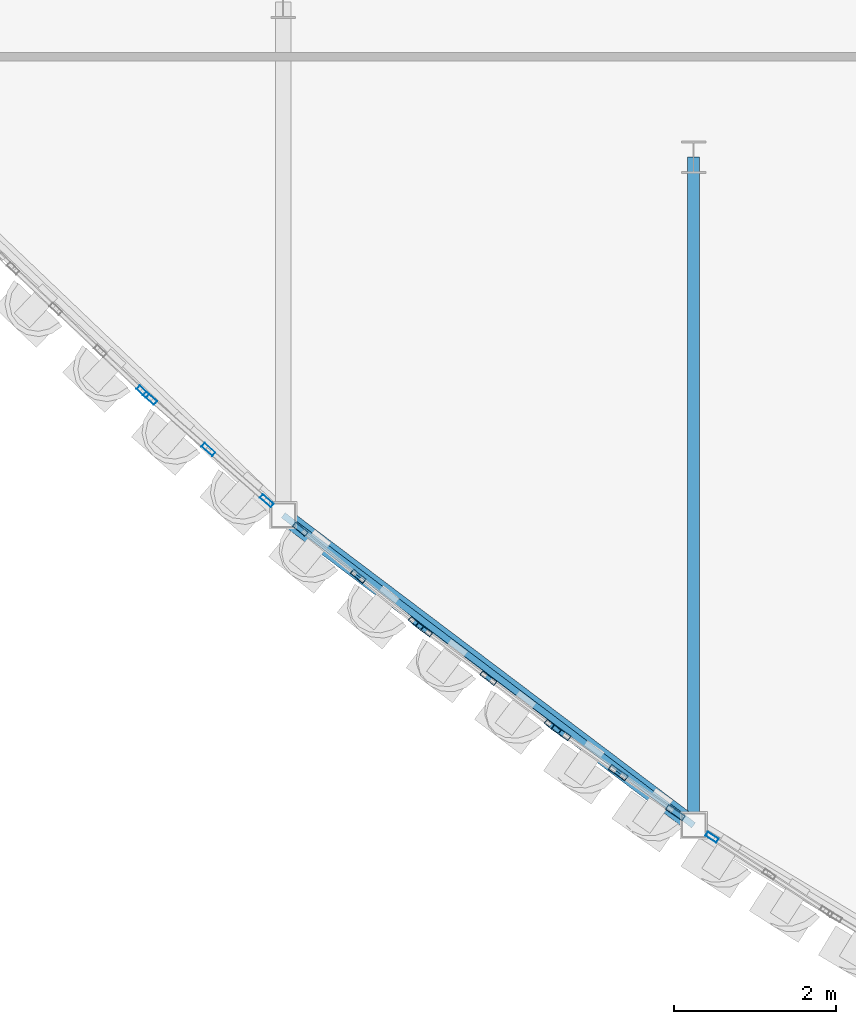
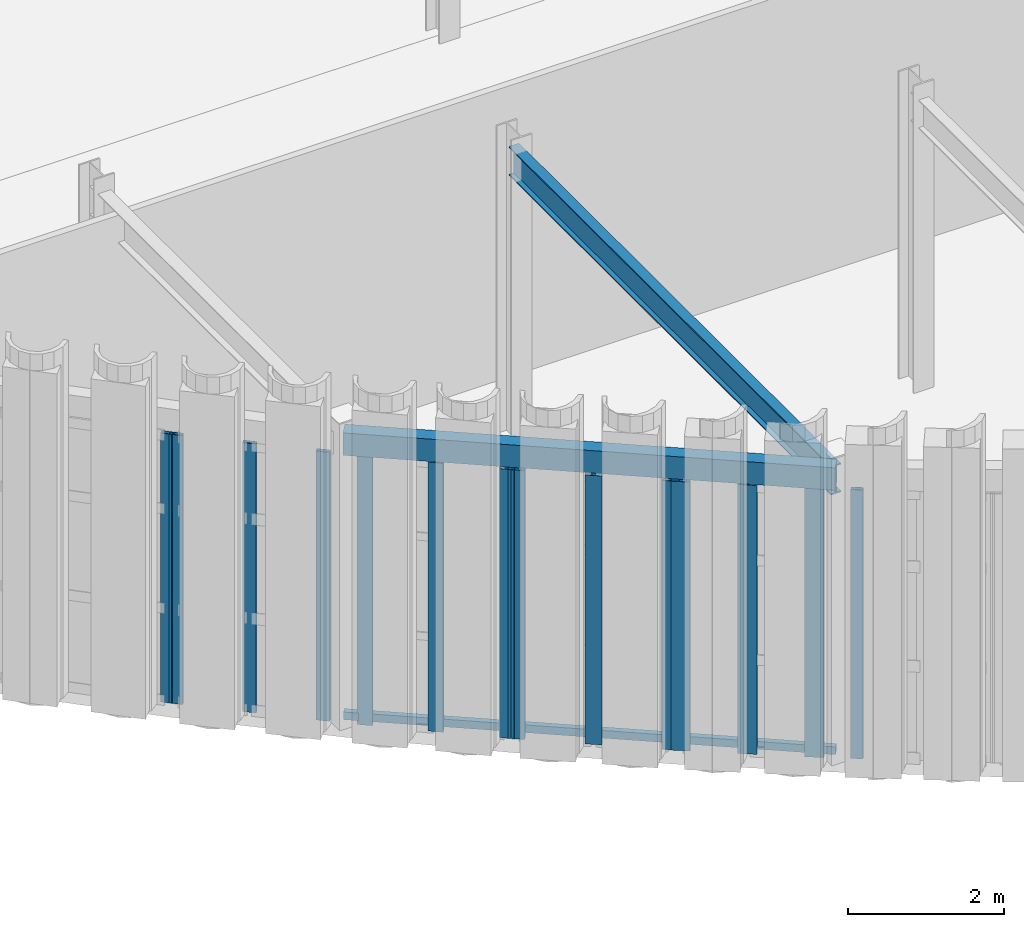
# One storey, part 17 of 126: 16 members, 2 beams, 6 elements without a shape of their own.
"""IFC4 building model written with IfcOpenShell, lengths in metres."""

import ifcopenshell
import ifcopenshell.guid

model = None  # the IFC model being written
_history = None  # IfcOwnerHistory: only IFC2X3 demands one
_inside = {}  # id of a spatial element -> (the spatial element, [elements in it])
_under = {}  # id of a project, library or spatial element -> (it, [spatial elements below it])
_declared = {}  # id of a project -> (the project, [libraries it declares])
_typed = {}  # id of a type object -> (the type object, [elements of that type])
_made_of = {}  # id of a material, layer set ... -> (it, [elements and type objects made of it])


def new_model(schema):
    """Start an empty IFC model of exactly this schema.

    Asked for "IFC4X3", IfcOpenShell would pick the latest addendum, in which some entities
    have other attributes; the version numbers below select the first issue.
    IFC2X3 requires an IfcOwnerHistory on every rooted entity: one is made here for all.
    """
    global model, _history
    if schema == "IFC4X3":
        model = ifcopenshell.file(schema_version=(4, 3, 0, 0))
    else:
        model = ifcopenshell.file(schema=schema)
    _inside.clear()
    _under.clear()
    _declared.clear()
    _typed.clear()
    _made_of.clear()
    _history = None
    if model.schema == "IFC2X3":
        org = make("IfcOrganization", Name="unknown")
        user = make(
            "IfcPersonAndOrganization",
            ThePerson=make("IfcPerson", FamilyName="unknown"),
            TheOrganization=org,
        )
        app = make(
            "IfcApplication",
            ApplicationDeveloper=org,
            Version="unknown",
            ApplicationFullName="unknown",
            ApplicationIdentifier="unknown",
        )
        _history = make(
            "IfcOwnerHistory",
            OwningUser=user,
            OwningApplication=app,
            ChangeAction="ADDED",
            CreationDate=0,
        )
    return model


def make(cls, **values):
    """One entity of the class cls with the attributes given. An attribute that is None is left unset."""
    return model.create_entity(
        cls, **{name: value for name, value in values.items() if value is not None}
    )


def rooted(cls, **values):
    """An entity with a GlobalId (a new one), such as an element, a storey or a relation."""
    return make(cls, GlobalId=ifcopenshell.guid.new(), OwnerHistory=_history, **values)


def si_unit(unit_type, name, prefix=None):
    """IfcSIUnit, for example si_unit("LENGTHUNIT", "METRE", prefix="MILLI")."""
    return make("IfcSIUnit", UnitType=unit_type, Prefix=prefix, Name=name)


def assignment(units):
    """IfcUnitAssignment: the units of a project."""
    return None if units is None else make("IfcUnitAssignment", Units=units)


def point(xyz):
    """IfcCartesianPoint."""
    return None if xyz is None else make("IfcCartesianPoint", Coordinates=xyz)


def direction(xyz):
    """IfcDirection."""
    return None if xyz is None else make("IfcDirection", DirectionRatios=xyz)


def frame(location, z_axis=None, x_axis=None):
    """IfcAxis2Placement3D, a coordinate frame: its origin and axes. An axis left out is left unset."""
    return make(
        "IfcAxis2Placement3D",
        Location=point(location),
        Axis=direction(z_axis),
        RefDirection=direction(x_axis),
    )


def frame_2d(location, x_axis=None):
    """IfcAxis2Placement2D, a coordinate frame in the plane: its origin and x axis."""
    return make(
        "IfcAxis2Placement2D", Location=point(location), RefDirection=direction(x_axis)
    )


def origin():
    """The frame at (0, 0, 0) with its axes left unset."""
    return frame((0.0, 0.0, 0.0))


def origin_2d():
    """The frame at (0, 0) in the plane with its x axis left unset."""
    return frame_2d((0.0, 0.0))


def place(relative_to, where):
    """IfcLocalPlacement: puts the frame where relative to a parent placement (None: the world)."""
    return make(
        "IfcLocalPlacement", PlacementRelTo=relative_to, RelativePlacement=where
    )


def context(
    kind, dimensions, precision=None, world=None, true_north=None, identifier=None
):
    """IfcGeometricRepresentationContext, for example the 3D "Model" context."""
    return make(
        "IfcGeometricRepresentationContext",
        ContextIdentifier=identifier,
        ContextType=kind,
        CoordinateSpaceDimension=dimensions,
        Precision=precision,
        WorldCoordinateSystem=world,
        TrueNorth=true_north,
    )


def subcontext(parent, identifier, kind, view, scale=None):
    """IfcGeometricRepresentationSubContext, for example "Body" below "Model"."""
    return make(
        "IfcGeometricRepresentationSubContext",
        ContextIdentifier=identifier,
        ContextType=kind,
        ParentContext=parent,
        TargetScale=scale,
        TargetView=view,
    )


def project(units=None, contexts=None):
    """IfcProject with its units and contexts."""
    return rooted(
        "IfcProject",
        Name="project",
        RepresentationContexts=contexts,
        UnitsInContext=assignment(units),
    )


def spatial(cls, under=None, at=None, **own):
    """A site, building, storey or space (cls), placed at a placement, below another one or the project."""
    s = rooted(cls, ObjectPlacement=at, **own)
    if under is not None:
        _under.setdefault(under.id(), (under, []))[1].append(s)
    return s


def profile(cls, at=None, kind="AREA", **sizes):
    """A parametric profile (cls). Its sizes go by their IFC names, for example OverallWidth=200.0."""
    return make(cls, ProfileType=kind, Position=at, **sizes)


def hollow_rectangle(**sizes):
    """IfcRectangleHollowProfileDef."""
    return profile("IfcRectangleHollowProfileDef", **sizes)


def i_section(**sizes):
    """IfcIShapeProfileDef."""
    return profile("IfcIShapeProfileDef", **sizes)


def extrude(swept, where, along, depth):
    """IfcExtrudedAreaSolid: the profile swept, set in the frame where, extruded along a direction by depth."""
    return make(
        "IfcExtrudedAreaSolid",
        SweptArea=swept,
        Position=where,
        ExtrudedDirection=direction(along),
        Depth=depth,
    )


def shape(context_of_items, identifier, shape_type, items):
    """IfcShapeRepresentation: the items that make up one representation, for example the "Body"."""
    return make(
        "IfcShapeRepresentation",
        ContextOfItems=context_of_items,
        RepresentationIdentifier=identifier,
        RepresentationType=shape_type,
        Items=items,
    )


def material(Name=None, Category=None):
    """IfcMaterial."""
    return make("IfcMaterial", Name=Name, Category=Category)


def layer(
    of_material, thickness, ventilated=None, Name=None, Category=None, Priority=None
):
    """IfcMaterialLayer: one layer of a wall or slab, of a material (None: an air gap)."""
    return make(
        "IfcMaterialLayer",
        Material=of_material,
        LayerThickness=thickness,
        IsVentilated=ventilated,
        Name=Name,
        Category=Category,
        Priority=Priority,
    )


def layer_set(layers, Name=None):
    """IfcMaterialLayerSet."""
    return make("IfcMaterialLayerSet", MaterialLayers=layers, LayerSetName=Name)


def material_profile(
    of_material, cross_section, Name=None, Category=None, Priority=None
):
    """IfcMaterialProfile: a cross section and its material."""
    return make(
        "IfcMaterialProfile",
        Name=Name,
        Material=of_material,
        Profile=cross_section,
        Priority=Priority,
        Category=Category,
    )


def profile_set(profiles, Name=None, composite=None):
    """IfcMaterialProfileSet."""
    return make(
        "IfcMaterialProfileSet",
        Name=Name,
        MaterialProfiles=profiles,
        CompositeProfile=composite,
    )


def made_of(thing, what):
    """Note that an element or type object is made of a material, layer set ...; save() writes the relation."""
    if what is not None:
        _made_of.setdefault(what.id(), (what, []))[1].append(thing)
    return thing


def type_object(cls, material=None, **own):
    """A type object (cls), such as IfcWallType, which elements share."""
    return made_of(rooted(cls, **own), material)


def element(
    cls,
    number,
    at=None,
    inside=None,
    cuts=None,
    type_object=None,
    material=None,
    context=None,
    identifier="Body",
    shape_type=None,
    held_by="IfcProductDefinitionShape",
    body=None,
    shapes=None,
    **own,
):
    """One element of the class cls, such as IfcWall. Its Tag is "e" and its number.

    at: its placement. inside: the storey or other place that contains it. cuts: it is an
    opening in that element (IfcRelVoidsElement). A single representation is given by context,
    identifier, shape_type and body (its items); several are given by shapes. held_by: the class
    of the entity that holds the representations. save() writes the other relations.
    """
    e = rooted(cls, Tag="e%d" % number, ObjectPlacement=at, **own)
    if body is not None:
        shapes = [shape(context, identifier, shape_type, body)]
    if shapes is not None:
        e.Representation = make(held_by, Representations=shapes)
    if inside is not None:
        _inside.setdefault(inside.id(), (inside, []))[1].append(e)
    if cuts is not None:
        rooted(
            "IfcRelVoidsElement", RelatingBuildingElement=cuts, RelatedOpeningElement=e
        )
    if type_object is not None:
        _typed.setdefault(type_object.id(), (type_object, []))[1].append(e)
    return made_of(e, material)


def aggregate(whole, parts):
    """IfcRelAggregates: a whole, such as a stair, and the parts it consists of."""
    return rooted("IfcRelAggregates", RelatingObject=whole, RelatedObjects=parts)


def save(model, path):
    """Write the relations noted so far, then the file.

    IfcRelAggregates (storeys below a building ...), IfcRelContainedInSpatialStructure (elements
    in a storey), IfcRelDefinesByType, IfcRelAssociatesMaterial and IfcRelDeclares: one each for
    every whole, place, type object, material and project.
    """
    for whole, parts in _under.values():
        aggregate(whole, parts)
    for where, things in _inside.values():
        rooted(
            "IfcRelContainedInSpatialStructure",
            RelatedElements=things,
            RelatingStructure=where,
        )
    for kind, things in _typed.values():
        rooted("IfcRelDefinesByType", RelatedObjects=things, RelatingType=kind)
    for what, things in _made_of.values():
        rooted("IfcRelAssociatesMaterial", RelatedObjects=things, RelatingMaterial=what)
    for by, libraries in _declared.values():
        rooted("IfcRelDeclares", RelatingContext=by, RelatedDefinitions=libraries)
    model.write(path)


model = new_model("IFC4")

# Units and contexts
model_context = context("Model", 3, precision=1e-05, world=origin(), true_north=direction((0.0, 1.0)))
body_context = subcontext(model_context, "Body", "Model", "MODEL_VIEW")
ifc_project = project(units=[si_unit("LENGTHUNIT", "METRE"), si_unit("AREAUNIT", "SQUARE_METRE"), si_unit("VOLUMEUNIT", "CUBIC_METRE"), si_unit("PLANEANGLEUNIT", "RADIAN"), si_unit("MASSUNIT", "GRAM", prefix="KILO")], contexts=[model_context])

# Site, building, storey
site_placement = place(None, origin())
site = spatial("IfcSite", under=ifc_project, at=site_placement, CompositionType="ELEMENT")
building_placement = place(site_placement, origin())
building = spatial("IfcBuilding", under=site, at=building_placement, Name="Solvadek Multi-Sports Hall", CompositionType="ELEMENT")
storey_placement = place(building_placement, frame((0.0, 0.0, 9.60009765625)))
storey = spatial("IfcBuildingStorey", under=building, at=storey_placement, Name="L02", CompositionType="ELEMENT", Elevation=9.60009765625)

# Curtain wall, member
ifc_material_1 = material(Name="Anodised aluminium", Category="aluminium")
ifc_layer_1 = layer(ifc_material_1, 0.159912109375, Name="Anodised aluminium")
ifc_layer_set_1 = layer_set([ifc_layer_1], Name="Anodised aluminium")
curtain_wall_type_1 = type_object("IfcCurtainWallType", Name="ENV-CW-227X420", PredefinedType="USERDEFINED", material=ifc_layer_set_1)
curtain_wall_1_placement = place(storey_placement, origin())
curtain_wall_1 = element("IfcCurtainWall", 1, at=curtain_wall_1_placement, inside=storey, type_object=curtain_wall_type_1, Name="L02 Crescent Curved Curtain Wall #16", ObjectType="CURTAIN WALL", PredefinedType="USERDEFINED")
ifc_material_profile_1 = material_profile(ifc_material_1, hollow_rectangle(XDim=0.06005859375, YDim=0.159912109375, WallThickness=0.00390625, at=origin_2d()), Name="ALU-M 160x60x4")
ifc_profile_set_1 = profile_set([ifc_material_profile_1], Name="Anodised aluminium")
member_type_1 = type_object("IfcMemberType", Name="ENV-CWM-01", PredefinedType="MULLION", material=ifc_profile_set_1)
member_1_placement = place(storey_placement, frame((39.906005859375, 2.06884765625, 0.0), z_axis=(0.0, 0.0, 1.0), x_axis=(0.688997456224, 0.724763758281, 0.0)))
member_1 = element("IfcMember", 2, at=member_1_placement, type_object=member_type_1, Name="CW-06 mullion 4", PredefinedType="MULLION", context=body_context, shape_type="SweptSolid", body=[
    extrude(hollow_rectangle(XDim=0.06005859375, YDim=0.159912109375, WallThickness=0.00390625, at=origin_2d()), origin(), (0.0, 0.0, 1.0), 4.199951171875),
])
aggregate(curtain_wall_1, [member_1])

ifc_layer_2 = layer(ifc_material_1, 0.159912109375, Name="Anodised aluminium")
ifc_layer_set_2 = layer_set([ifc_layer_2], Name="Anodised aluminium")
curtain_wall_type_2 = type_object("IfcCurtainWallType", Name="ENV-CW-174X420", PredefinedType="USERDEFINED", material=ifc_layer_set_2)
curtain_wall_2_placement = place(storey_placement, origin())
curtain_wall_2 = element("IfcCurtainWall", 3, at=curtain_wall_2_placement, inside=storey, type_object=curtain_wall_type_2, Name="L02 Crescent Curved Curtain Wall #26", ObjectType="CURTAIN WALL", PredefinedType="USERDEFINED")
member_2_placement = place(storey_placement, frame((46.923583984375, -3.42529296875, 0.0), z_axis=(0.0, 0.0, 1.0), x_axis=(0.544061029929, 0.839045645786, 0.0)))
member_2 = element("IfcMember", 4, at=member_2_placement, type_object=member_type_1, Name="CW-12 mullion 1", PredefinedType="MULLION", context=body_context, shape_type="SweptSolid", body=[
    extrude(hollow_rectangle(XDim=0.06005859375, YDim=0.159912109375, WallThickness=0.00390625, at=origin_2d()), origin(), (0.0, 0.0, 1.0), 4.199951171875),
])
aggregate(curtain_wall_2, [member_2])

# Curtain wall, members
ifc_layer_3 = layer(ifc_material_1, 0.159912109375, Name="Anodised aluminium")
ifc_layer_set_3 = layer_set([ifc_layer_3], Name="Anodised aluminium")
curtain_wall_type_3 = type_object("IfcCurtainWallType", Name="ENV-CW-198X420", PredefinedType="USERDEFINED", material=ifc_layer_set_3)
curtain_wall_3_placement = place(storey_placement, origin())
curtain_wall_3 = element("IfcCurtainWall", 5, at=curtain_wall_3_placement, inside=storey, type_object=curtain_wall_type_3, Name="L02 Crescent Curved Curtain Wall #18", ObjectType="CURTAIN WALL", PredefinedType="USERDEFINED")
ifc_material_profile_2 = material_profile(ifc_material_1, hollow_rectangle(XDim=0.06005859375, YDim=0.179931640625, WallThickness=0.00390625, at=origin_2d()), Name="ALU-M 180x60x4")
ifc_profile_set_2 = profile_set([ifc_material_profile_2], Name="Anodised aluminium")
member_type_2 = type_object("IfcMemberType", Name="ENV-CWM-02", PredefinedType="MULLION", material=ifc_profile_set_2)
member_3_placement = place(storey_placement, frame((39.99462890625, 1.98779296875, 0.0), z_axis=(0.0, 0.0, 1.0), x_axis=(0.660054887246, 0.751217375879, 0.0)))
member_3 = element("IfcMember", 6, at=member_3_placement, type_object=member_type_2, Name="CW-08 mullion 1", PredefinedType="MULLION", context=body_context, shape_type="SweptSolid", body=[
    extrude(hollow_rectangle(XDim=0.06005859375, YDim=0.179931640625, WallThickness=0.00390625, at=origin_2d()), origin(), (0.0, 0.0, 1.0), 4.199951171875),
])
member_4_placement = place(storey_placement, frame((40.714111328125, 1.355712890625, 0.0), z_axis=(0.0, 0.0, 1.0), x_axis=(0.660054887246, 0.751217375879, 0.0)))
member_4 = element("IfcMember", 7, at=member_4_placement, type_object=member_type_2, Name="CW-08 mullion 2", PredefinedType="MULLION", context=body_context, shape_type="SweptSolid", body=[
    extrude(hollow_rectangle(XDim=0.06005859375, YDim=0.179931640625, WallThickness=0.00390625, at=origin_2d()), origin(), (0.0, 0.0, 1.0), 4.199951171875),
])
member_5_placement = place(storey_placement, frame((41.43359375, 0.723388671875, 0.0), z_axis=(0.0, 0.0, 1.0), x_axis=(0.660054887246, 0.751217375879, 0.0)))
member_5 = element("IfcMember", 8, at=member_5_placement, type_object=member_type_2, Name="CW-08 mullion 3", PredefinedType="MULLION", context=body_context, shape_type="SweptSolid", body=[
    extrude(hollow_rectangle(XDim=0.06005859375, YDim=0.179931640625, WallThickness=0.00390625, at=origin_2d()), origin(), (0.0, 0.0, 1.0), 4.199951171875),
])
aggregate(curtain_wall_3, [member_3, member_4, member_5])

ifc_layer_4 = layer(ifc_material_1, 0.159912109375, Name="Anodised aluminium")
ifc_layer_set_4 = layer_set([ifc_layer_4], Name="Anodised aluminium")
curtain_wall_type_4 = type_object("IfcCurtainWallType", Name="ENV-CW-190X420", PredefinedType="USERDEFINED", material=ifc_layer_set_4)
curtain_wall_4_placement = place(storey_placement, origin())
curtain_wall_4 = element("IfcCurtainWall", 9, at=curtain_wall_4_placement, inside=storey, type_object=curtain_wall_type_4, Name="L02 Crescent Curved Curtain Wall #20", ObjectType="CURTAIN WALL", PredefinedType="USERDEFINED")
ifc_material_profile_3 = material_profile(ifc_material_1, hollow_rectangle(XDim=0.06494140625, YDim=0.199951171875, WallThickness=0.0048828125, at=origin_2d()), Name="ALU-M 200x65x5")
ifc_profile_set_3 = profile_set([ifc_material_profile_3], Name="Anodised aluminium")
member_type_3 = type_object("IfcMemberType", Name="ENV-CWM-03", PredefinedType="MULLION", material=ifc_profile_set_3)
member_6_placement = place(storey_placement, frame((41.847900390625, 0.373291015625, 0.0), z_axis=(0.0, 0.0, 1.0), x_axis=(0.631070866808, 0.775725183984, 0.0)))
member_6 = element("IfcMember", 10, at=member_6_placement, type_object=member_type_3, Name="CW-09 mullion 1", PredefinedType="MULLION", context=body_context, shape_type="SweptSolid", body=[
    extrude(hollow_rectangle(XDim=0.06494140625, YDim=0.199951171875, WallThickness=0.0048828125, at=origin_2d()), origin(), (0.0, 0.0, 1.0), 4.199951171875),
])
member_7_placement = place(storey_placement, frame((42.561279296875, -0.20703125, 0.0), z_axis=(0.0, 0.0, 1.0), x_axis=(0.631070866808, 0.775725183984, 0.0)))
member_7 = element("IfcMember", 11, at=member_7_placement, type_object=member_type_3, Name="CW-09 mullion 2", PredefinedType="MULLION", context=body_context, shape_type="SweptSolid", body=[
    extrude(hollow_rectangle(XDim=0.06494140625, YDim=0.199951171875, WallThickness=0.0048828125, at=origin_2d()), origin(), (0.0, 0.0, 1.0), 4.199951171875),
])
member_8_placement = place(storey_placement, frame((43.27490234375, -0.78759765625, 0.0), z_axis=(0.0, 0.0, 1.0), x_axis=(0.631070866808, 0.775725183984, 0.0)))
member_8 = element("IfcMember", 12, at=member_8_placement, type_object=member_type_3, Name="CW-09 mullion 3", PredefinedType="MULLION", context=body_context, shape_type="SweptSolid", body=[
    extrude(hollow_rectangle(XDim=0.06494140625, YDim=0.199951171875, WallThickness=0.0048828125, at=origin_2d()), origin(), (0.0, 0.0, 1.0), 4.199951171875),
])
aggregate(curtain_wall_4, [member_6, member_7, member_8])

ifc_layer_5 = layer(ifc_material_1, 0.159912109375, Name="Anodised aluminium")
ifc_layer_set_5 = layer_set([ifc_layer_5], Name="Anodised aluminium")
curtain_wall_type_5 = type_object("IfcCurtainWallType", Name="ENV-CW-205X420", PredefinedType="USERDEFINED", material=ifc_layer_set_5)
curtain_wall_5_placement = place(storey_placement, origin())
curtain_wall_5 = element("IfcCurtainWall", 13, at=curtain_wall_5_placement, inside=storey, type_object=curtain_wall_type_5, Name="L02 Crescent Curved Curtain Wall #22", ObjectType="CURTAIN WALL", PredefinedType="USERDEFINED")
ifc_material_profile_4 = material_profile(ifc_material_1, hollow_rectangle(XDim=0.06494140625, YDim=0.219970703125, WallThickness=0.0048828125, at=origin_2d()), Name="ALU-M 220x65x5")
ifc_profile_set_4 = profile_set([ifc_material_profile_4], Name="Anodised aluminium")
member_type_4 = type_object("IfcMemberType", Name="ENV-CWM-04", PredefinedType="MULLION", material=ifc_profile_set_4)
member_9_placement = place(storey_placement, frame((43.373291015625, -0.864501953125, 0.0), z_axis=(0.0, 0.0, 1.0), x_axis=(0.602024963078, 0.798477265694, 0.0)))
member_9 = element("IfcMember", 14, at=member_9_placement, type_object=member_type_4, Name="CW-10 mullion 1", PredefinedType="MULLION", context=body_context, shape_type="SweptSolid", body=[
    extrude(hollow_rectangle(XDim=0.06494140625, YDim=0.219970703125, WallThickness=0.0048828125, at=origin_2d()), origin(), (0.0, 0.0, 1.0), 4.199951171875),
])
member_10_placement = place(storey_placement, frame((44.166748046875, -1.462890625, 0.0), z_axis=(0.0, 0.0, 1.0), x_axis=(0.602024963078, 0.798477265694, 0.0)))
member_10 = element("IfcMember", 15, at=member_10_placement, type_object=member_type_4, Name="CW-10 mullion 2", PredefinedType="MULLION", context=body_context, shape_type="SweptSolid", body=[
    extrude(hollow_rectangle(XDim=0.06494140625, YDim=0.219970703125, WallThickness=0.0048828125, at=origin_2d()), origin(), (0.0, 0.0, 1.0), 4.199951171875),
])
member_11_placement = place(storey_placement, frame((44.960205078125, -2.06103515625, 0.0), z_axis=(0.0, 0.0, 1.0), x_axis=(0.602024963078, 0.798477265694, 0.0)))
member_11 = element("IfcMember", 16, at=member_11_placement, type_object=member_type_4, Name="CW-10 mullion 3", PredefinedType="MULLION", context=body_context, shape_type="SweptSolid", body=[
    extrude(hollow_rectangle(XDim=0.06494140625, YDim=0.219970703125, WallThickness=0.0048828125, at=origin_2d()), origin(), (0.0, 0.0, 1.0), 4.199951171875),
])
aggregate(curtain_wall_5, [member_9, member_10, member_11])

ifc_layer_6 = layer(ifc_material_1, 0.159912109375, Name="Anodised aluminium")
ifc_layer_set_6 = layer_set([ifc_layer_6], Name="Anodised aluminium")
curtain_wall_type_6 = type_object("IfcCurtainWallType", Name="ENV-CW-179X420", PredefinedType="USERDEFINED", material=ifc_layer_set_6)
curtain_wall_6_placement = place(storey_placement, origin())
curtain_wall_6 = element("IfcCurtainWall", 17, at=curtain_wall_6_placement, inside=storey, type_object=curtain_wall_type_6, Name="L02 Crescent Curved Curtain Wall #24", ObjectType="CURTAIN WALL", PredefinedType="USERDEFINED")
ifc_material_profile_5 = material_profile(ifc_material_1, hollow_rectangle(XDim=0.070068359375, YDim=0.25, WallThickness=0.0048828125, at=origin_2d()), Name="ALU-M 250x70x5")
ifc_profile_set_5 = profile_set([ifc_material_profile_5], Name="Anodised aluminium")
member_type_5 = type_object("IfcMemberType", Name="ENV-CWM-05", PredefinedType="MULLION", material=ifc_profile_set_5)
member_12_placement = place(storey_placement, frame((45.0634765625, -2.135986328125, 0.0), z_axis=(0.0, 0.0, 1.0), x_axis=(0.573079503492, 0.819499775886, 0.0)))
member_12 = element("IfcMember", 18, at=member_12_placement, type_object=member_type_5, Name="CW-11 mullion 1", PredefinedType="MULLION", context=body_context, shape_type="SweptSolid", body=[
    extrude(hollow_rectangle(XDim=0.070068359375, YDim=0.25, WallThickness=0.0048828125, at=origin_2d()), origin(), (0.0, 0.0, 1.0), 4.199951171875),
])
member_13_placement = place(storey_placement, frame((45.767578125, -2.62841796875, 0.0), z_axis=(0.0, 0.0, 1.0), x_axis=(0.573079503492, 0.819499775886, 0.0)))
member_13 = element("IfcMember", 19, at=member_13_placement, type_object=member_type_5, Name="CW-11 mullion 2", PredefinedType="MULLION", context=body_context, shape_type="SweptSolid", body=[
    extrude(hollow_rectangle(XDim=0.070068359375, YDim=0.25, WallThickness=0.0048828125, at=origin_2d()), origin(), (0.0, 0.0, 1.0), 4.199951171875),
])
member_14_placement = place(storey_placement, frame((46.4716796875, -3.120849609375, 0.0), z_axis=(0.0, 0.0, 1.0), x_axis=(0.573079503492, 0.819499775886, 0.0)))
member_14 = element("IfcMember", 20, at=member_14_placement, type_object=member_type_5, Name="CW-11 mullion 3", PredefinedType="MULLION", context=body_context, shape_type="SweptSolid", body=[
    extrude(hollow_rectangle(XDim=0.070068359375, YDim=0.25, WallThickness=0.0048828125, at=origin_2d()), origin(), (0.0, 0.0, 1.0), 4.199951171875),
])
aggregate(curtain_wall_6, [member_12, member_13, member_14])

# Beams
ifc_material_2 = material(Name="Steel E350 (350 MPa)", Category="steel")
ifc_material_profile_6 = material_profile(ifc_material_2, i_section(OverallWidth=0.14990234375, OverallDepth=0.449951171875, WebThickness=0.009521484375, FlangeThickness=0.017333984375, at=origin_2d()), Name="ISMB 450")
ifc_profile_set_6 = profile_set([ifc_material_profile_6], Name="Steel E350 (350 MPa)")
beam_type_1 = type_object("IfcBeamType", Name="STR-BM-ISMB450", PredefinedType="BEAM", material=ifc_profile_set_6)
beam_1_placement = place(storey_placement, frame((46.697021484375, -3.2783203125, 4.3349609375), z_axis=(0.0, 1.0, 0.0), x_axis=(-1.0, 0.0, 0.0)))
element("IfcBeam", 21, at=beam_1_placement, inside=storey, type_object=beam_type_1, Name="L02 Girder B-09 #1513", PredefinedType="BEAM", context=body_context, shape_type="SweptSolid", body=[
    extrude(i_section(OverallWidth=0.14990234375, OverallDepth=0.449951171875, WebThickness=0.009521484375, FlangeThickness=0.017333984375, at=origin_2d()), origin(), (0.0, 0.0, 1.0), 8.239013671875),
])
ifc_material_profile_7 = material_profile(ifc_material_2, hollow_rectangle(XDim=0.199951171875, YDim=0.35009765625, WallThickness=0.011962890625, at=origin_2d()), Name="RHS 350x200x12")
ifc_profile_set_7 = profile_set([ifc_material_profile_7], Name="Steel E350 (350 MPa)")
beam_type_2 = type_object("IfcBeamType", Name="STR-SPN-RHS350", PredefinedType="SPANDREL", material=ifc_profile_set_7)
beam_2_placement = place(storey_placement, frame((41.636474609375, 0.54541015625, 4.40478515625), z_axis=(0.797851689888, -0.602853780732, 0.0), x_axis=(0.602853780732, 0.797851689888, 0.0)))
element("IfcBeam", 22, at=beam_2_placement, inside=storey, type_object=beam_type_2, Name="L02 Curved Crescent Spandrel #61", PredefinedType="SPANDREL", context=body_context, shape_type="SweptSolid", body=[
    extrude(hollow_rectangle(XDim=0.199951171875, YDim=0.35009765625, WallThickness=0.011962890625, at=origin_2d()), origin(), (0.0, 0.0, 1.0), 6.3427734375),
])

# Members
ifc_material_3 = material(Name="Steel E250 (250 MPa)", Category="steel")
ifc_material_profile_8 = material_profile(ifc_material_3, hollow_rectangle(XDim=0.080078125, YDim=0.1201171875, WallThickness=0.006103515625, at=origin_2d()), Name="RHS 120x80x6")
ifc_profile_set_8 = profile_set([ifc_material_profile_8], Name="Steel E250 (250 MPa)")
member_type_6 = type_object("IfcMemberType", Name="STR-STD-RHS120", PredefinedType="STUD", material=ifc_profile_set_8)
for number, where, z_axis, x_axis, name in (
    (23, (41.636474609375, 0.54541015625, 0.119873046875), (0.797851689888, -0.602853780732, 0.0), (0.602853780732, 0.797851689888, 0.0), "L02 Flute Subframe Rail W-4 bot"),
    (24, (41.636474609375, 0.54541015625, 4.5), (0.797851689888, -0.602853780732, 0.0), (0.602853780732, 0.797851689888, 0.0), "L02 Flute Subframe Rail W-4 top"),
):
    element("IfcMember", number, at=place(storey_placement, frame(where, z_axis=z_axis, x_axis=x_axis)), inside=storey, type_object=member_type_6, Name=name, PredefinedType="STUD", context=body_context, shape_type="SweptSolid", body=[
        extrude(hollow_rectangle(XDim=0.080078125, YDim=0.1201171875, WallThickness=0.006103515625, at=origin_2d()), origin(), (0.0, 0.0, 1.0), 6.3427734375),
    ])

save(model, "model.ifc")
